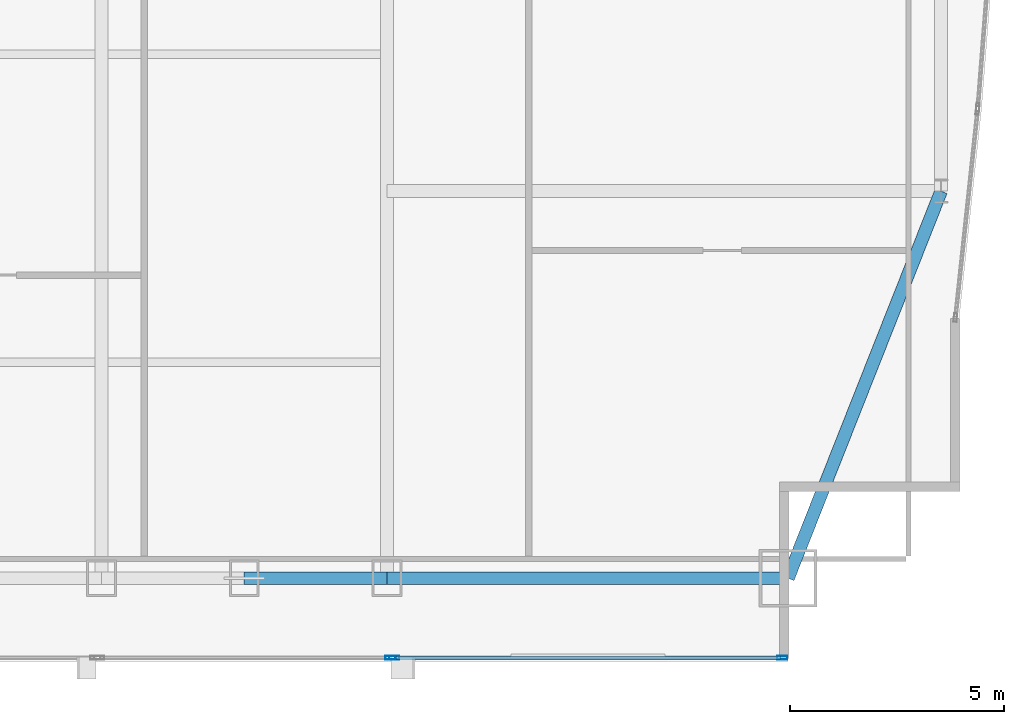
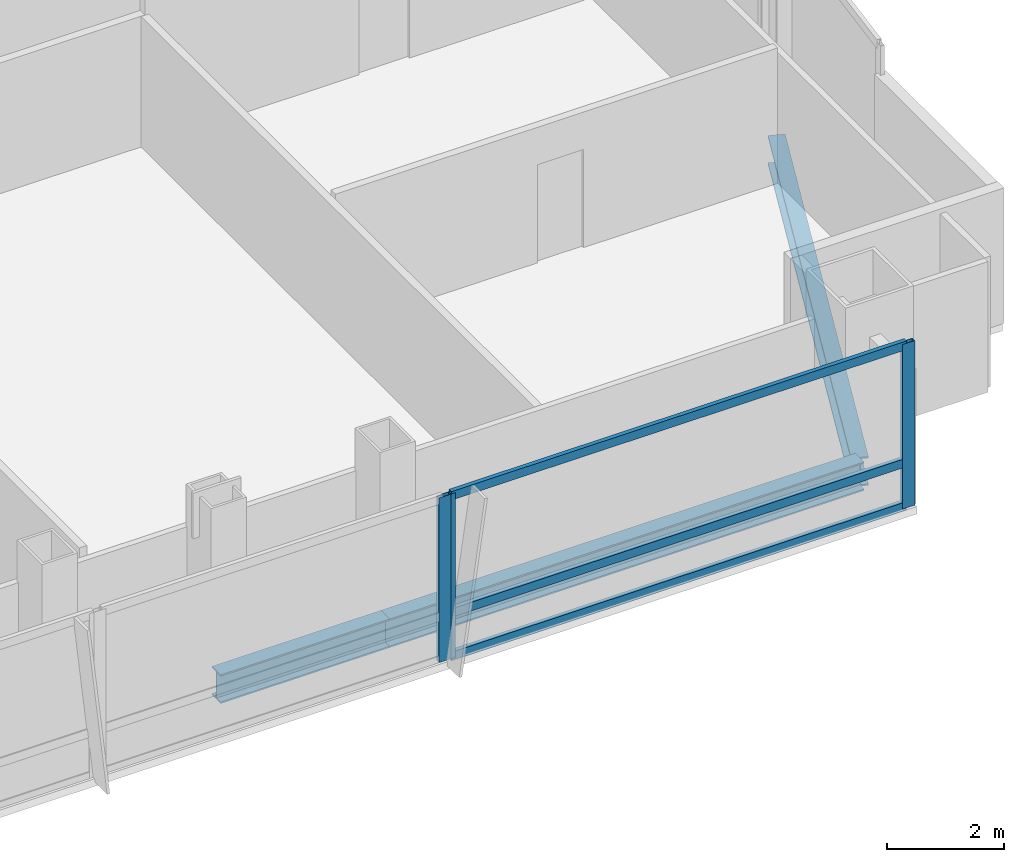
# One storey, part 15 of 29: 6 members, 3 beams, 2 elements without a shape of their own.
"""IFC4 building model written with IfcOpenShell, lengths in metres."""

from ifc_helpers import new_model, si_unit, direction, frame, origin, origin_2d, place, context, subcontext, project, spatial, hollow_rectangle, i_section, extrude, material, material_profile, profile_set, type_object, element, aggregate, save


model = new_model("IFC4")

# Units and contexts
model_context = context("Model", 3, precision=1e-05, world=origin(), true_north=direction((0.0, 1.0)))
body_context = subcontext(model_context, "Body", "Model", "MODEL_VIEW")
ifc_project = project(units=[si_unit("LENGTHUNIT", "METRE"), si_unit("AREAUNIT", "SQUARE_METRE"), si_unit("VOLUMEUNIT", "CUBIC_METRE"), si_unit("PLANEANGLEUNIT", "RADIAN"), si_unit("MASSUNIT", "GRAM", prefix="KILO")], contexts=[model_context])

# Site, building, storey
site_placement = place(None, origin())
site = spatial("IfcSite", under=ifc_project, at=site_placement, CompositionType="ELEMENT")
building_placement = place(site_placement, origin())
building = spatial("IfcBuilding", under=site, at=building_placement, Name="Khoronbel Lancet Exchange", CompositionType="ELEMENT")
storey_placement = place(building_placement, frame((0.0, 0.0, 143.39990234375)))
storey = spatial("IfcBuildingStorey", under=building, at=storey_placement, Name="L35", CompositionType="ELEMENT", Elevation=143.39990234375)

# Beams
ifc_material_1 = material(Name="Steel S355", Category="steel")
ifc_material_profile_1 = material_profile(ifc_material_1, i_section(OverallWidth=0.300048828125, OverallDepth=0.60009765625, WebThickness=0.015380859375, FlangeThickness=0.030029296875, at=origin_2d()), Name="HEB 600")
ifc_profile_set_1 = profile_set([ifc_material_profile_1], Name="Steel S355")
beam_type = type_object("IfcBeamType", Name="BM-BSP2", PredefinedType="SPANDREL", material=ifc_profile_set_1)
beam_1_placement = place(storey_placement, frame((51.33740234375, 10.14990234375, -0.4599609375), z_axis=(1.0, 0.0, 0.0), x_axis=(0.0, 1.0, 0.0)))
element("IfcBeam", 1, at=beam_1_placement, inside=storey, type_object=beam_type, Name="Level L35 perimeter spandrel beam SP08", PredefinedType="SPANDREL", context=body_context, shape_type="SweptSolid", body=[
    extrude(i_section(OverallWidth=0.300048828125, OverallDepth=0.60009765625, WebThickness=0.015380859375, FlangeThickness=0.030029296875, at=origin_2d()), origin(), (0.0, 0.0, 1.0), 3.337646484375),
])
beam_2_placement = place(storey_placement, frame((54.675048828125, 10.14990234375, -0.4599609375), z_axis=(1.0, 0.0, 0.0), x_axis=(0.0, 1.0, 0.0)))
element("IfcBeam", 2, at=beam_2_placement, inside=storey, type_object=beam_type, Name="Level L35 perimeter spandrel beam SP09", PredefinedType="SPANDREL", context=body_context, shape_type="SweptSolid", body=[
    extrude(i_section(OverallWidth=0.300048828125, OverallDepth=0.60009765625, WebThickness=0.015380859375, FlangeThickness=0.030029296875, at=origin_2d()), origin(), (0.0, 0.0, 1.0), 9.375),
])
beam_3_placement = place(storey_placement, frame((64.050048828125, 10.14990234375, -0.4599609375), z_axis=(0.367828403855, 0.929893684954, 0.0), x_axis=(-0.929893684954, 0.367828403855, 0.0)))
element("IfcBeam", 3, at=beam_3_placement, inside=storey, type_object=beam_type, Name="Level L35 perimeter spandrel beam SP10", PredefinedType="SPANDREL", context=body_context, shape_type="SweptSolid", body=[
    extrude(i_section(OverallWidth=0.300048828125, OverallDepth=0.60009765625, WebThickness=0.015380859375, FlangeThickness=0.030029296875, at=origin_2d()), origin(), (0.0, 0.0, 1.0), 9.732421875),
])

# Curtain wall, member
ifc_material_2 = material(Name="Low-E Solar Control Insulating Glass", Category="glass")
curtain_wall_type = type_object("IfcCurtainWallType", Name="CW-3", PredefinedType="NOTDEFINED", material=ifc_material_2)
curtain_wall_1_placement = place(storey_placement, origin())
curtain_wall_1 = element("IfcCurtainWall", 4, at=curtain_wall_1_placement, inside=storey, type_object=curtain_wall_type, Name="Unitised curtain wall CW-L35-SEB", PredefinedType="NOTDEFINED")
ifc_material_3 = material(Name="Bronze-Anodised Aluminium 6063-T6", Category="aluminium")
ifc_material_profile_2 = material_profile(ifc_material_3, hollow_rectangle(XDim=0.0849609375, YDim=0.239990234375, WallThickness=0.006103515625, at=origin_2d()), Name="ALU MULLION 85x240")
ifc_profile_set_2 = profile_set([ifc_material_profile_2], Name="Bronze-Anodised Aluminium 6063-T6")
member_type_1 = type_object("IfcMemberType", Name="MEM-CWM1", PredefinedType="MULLION", material=ifc_profile_set_2)
member_1_placement = place(storey_placement, frame((54.757568359375, 8.2900390625, 0.0), z_axis=(0.0, 0.0, 1.0), x_axis=(0.0, 1.0, 0.0)))
member_1 = element("IfcMember", 5, at=member_1_placement, type_object=member_type_1, Name="CW3 mullion 2", PredefinedType="MULLION", context=body_context, shape_type="SweptSolid", body=[
    extrude(hollow_rectangle(XDim=0.0849609375, YDim=0.239990234375, WallThickness=0.006103515625, at=origin_2d()), origin(), (0.0, 0.0, 1.0), 3.440185546875),
])
aggregate(curtain_wall_1, [member_1])

# Curtain wall, members
curtain_wall_2_placement = place(storey_placement, origin())
curtain_wall_2 = element("IfcCurtainWall", 6, at=curtain_wall_2_placement, inside=storey, type_object=curtain_wall_type, Name="Unitised curtain wall CW-L35-SEV", PredefinedType="NOTDEFINED")
member_2_placement = place(storey_placement, frame((54.842529296875, 8.2900390625, 0.0), z_axis=(0.0, 0.0, 1.0), x_axis=(0.0, 1.0, 0.0)))
member_2 = element("IfcMember", 7, at=member_2_placement, type_object=member_type_1, Name="CW3 mullion 1", PredefinedType="MULLION", context=body_context, shape_type="SweptSolid", body=[
    extrude(hollow_rectangle(XDim=0.0849609375, YDim=0.239990234375, WallThickness=0.006103515625, at=origin_2d()), origin(), (0.0, 0.0, 1.0), 3.440185546875),
])
member_3_placement = place(storey_placement, frame((63.91748046875, 8.2900390625, 0.0), z_axis=(0.0, 0.0, 1.0), x_axis=(0.0, 1.0, 0.0)))
member_3 = element("IfcMember", 8, at=member_3_placement, type_object=member_type_1, Name="CW3 mullion 2", PredefinedType="MULLION", context=body_context, shape_type="SweptSolid", body=[
    extrude(hollow_rectangle(XDim=0.0849609375, YDim=0.239990234375, WallThickness=0.006103515625, at=origin_2d()), origin(), (0.0, 0.0, 1.0), 3.440185546875),
])
ifc_material_profile_3 = material_profile(ifc_material_3, hollow_rectangle(XDim=0.0849609375, YDim=0.179931640625, WallThickness=0.0048828125, at=origin_2d()), Name="ALU TRANSOM 85x180")
ifc_profile_set_3 = profile_set([ifc_material_profile_3], Name="Bronze-Anodised Aluminium 6063-T6")
member_type_2 = type_object("IfcMemberType", Name="MEM-CWT1", PredefinedType="USERDEFINED", material=ifc_profile_set_3)
member_4_placement = place(storey_placement, frame((54.885009765625, 8.2900390625, 0.04248046875), z_axis=(1.0, 0.0, 0.0), x_axis=(0.0, 1.0, 0.0)))
member_4 = element("IfcMember", 9, at=member_4_placement, type_object=member_type_2, Name="CW3 transom 1.1", ObjectType="TRANSOM", PredefinedType="USERDEFINED", context=body_context, shape_type="SweptSolid", body=[
    extrude(hollow_rectangle(XDim=0.0849609375, YDim=0.179931640625, WallThickness=0.0048828125, at=origin_2d()), origin(), (0.0, 0.0, 1.0), 8.989990234375),
])
member_5_placement = place(storey_placement, frame((54.885009765625, 8.2900390625, 0.9501953125), z_axis=(1.0, 0.0, 0.0), x_axis=(0.0, 1.0, 0.0)))
member_5 = element("IfcMember", 10, at=member_5_placement, type_object=member_type_2, Name="CW3 transom 1.2", ObjectType="TRANSOM", PredefinedType="USERDEFINED", context=body_context, shape_type="SweptSolid", body=[
    extrude(hollow_rectangle(XDim=0.0849609375, YDim=0.179931640625, WallThickness=0.0048828125, at=origin_2d()), origin(), (0.0, 0.0, 1.0), 8.989990234375),
])
member_6_placement = place(storey_placement, frame((54.885009765625, 8.2900390625, 3.397705078125), z_axis=(1.0, 0.0, 0.0), x_axis=(0.0, 1.0, 0.0)))
member_6 = element("IfcMember", 11, at=member_6_placement, type_object=member_type_2, Name="CW3 transom 1.3", ObjectType="TRANSOM", PredefinedType="USERDEFINED", context=body_context, shape_type="SweptSolid", body=[
    extrude(hollow_rectangle(XDim=0.0849609375, YDim=0.179931640625, WallThickness=0.0048828125, at=origin_2d()), origin(), (0.0, 0.0, 1.0), 8.989990234375),
])
aggregate(curtain_wall_2, [member_2, member_3, member_4, member_5, member_6])

save(model, "model.ifc")
